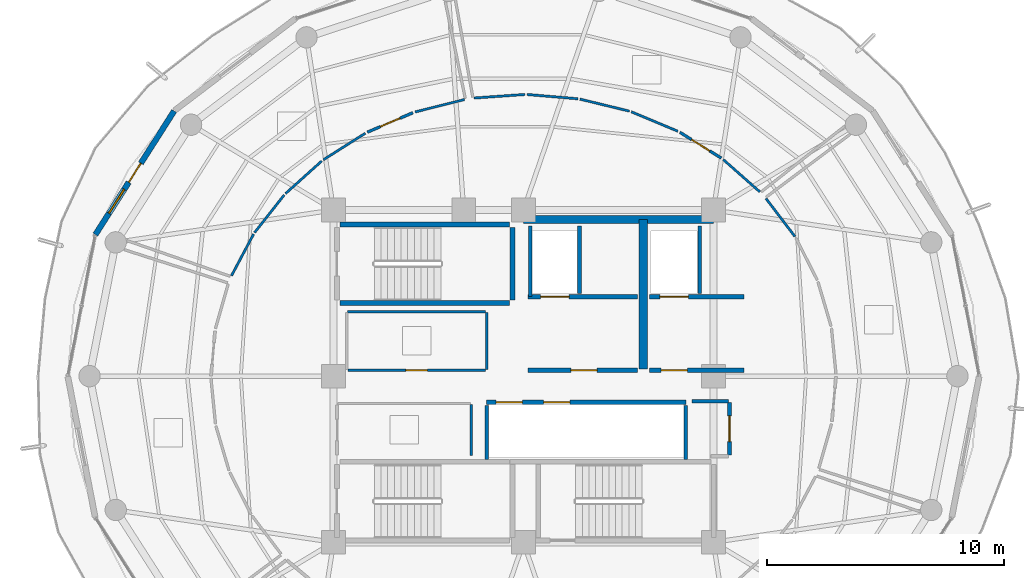
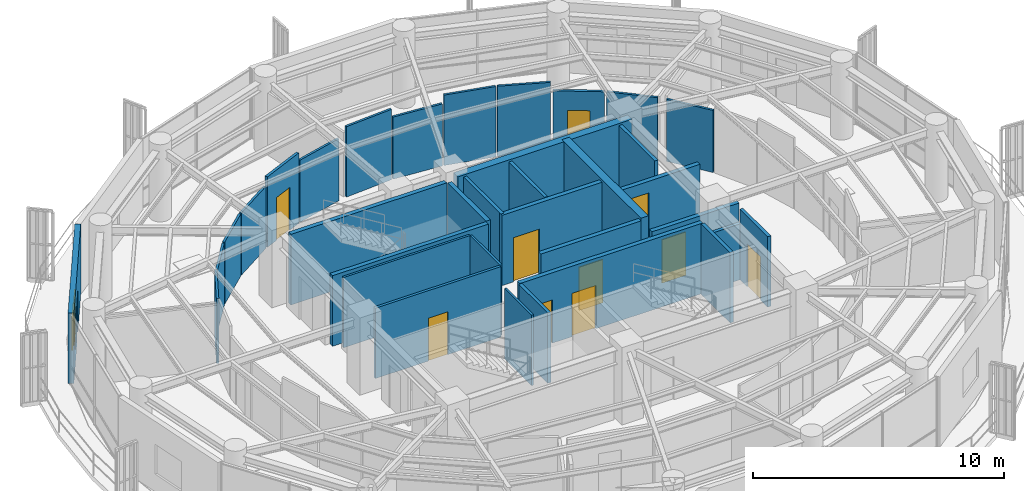
# One storey, part 17 of 23: 35 walls, 11 doors, 1 window, 12 openings.
"""IFC4 building model written with IfcOpenShell, lengths in metres."""

from ifc_helpers import new_model, si_unit, direction, frame, frame_2d, origin, place, context, subcontext, project, spatial, rectangle, extrude, material, layer, layer_set, type_object, element, fill, save


model = new_model("IFC4")

# Units and contexts
model_context = context("Model", 3, precision=1e-05, world=origin(), true_north=direction((0.0, 1.0)))
body_context = subcontext(model_context, "Body", "Model", "MODEL_VIEW")
ifc_project = project(units=[si_unit("LENGTHUNIT", "METRE"), si_unit("AREAUNIT", "SQUARE_METRE"), si_unit("VOLUMEUNIT", "CUBIC_METRE"), si_unit("PLANEANGLEUNIT", "RADIAN"), si_unit("MASSUNIT", "GRAM", prefix="KILO")], contexts=[model_context])

# Site, building, storey
site_placement = place(None, origin())
site = spatial("IfcSite", under=ifc_project, at=site_placement, CompositionType="ELEMENT")
building_placement = place(site_placement, origin())
building = spatial("IfcBuilding", under=site, at=building_placement, Name="Kelanora Arch Commons", CompositionType="ELEMENT")
storey_placement = place(building_placement, frame((0.0, 0.0, 289.949951171875)))
storey = spatial("IfcBuildingStorey", under=building, at=storey_placement, Name="L74", CompositionType="ELEMENT", Elevation=289.949951171875)

# Walls
ifc_material_1 = material(Name="Autoclaved aerated concrete blockwork with fire plaster", Category="masonry")
ifc_layer_1 = layer(ifc_material_1, 0.14990234375)
ifc_layer_set_1 = layer_set([ifc_layer_1], Name="Autoclaved aerated concrete blockwork with fire plaster")
wall_type_1 = type_object("IfcWallType", Name="W-COMP-150", PredefinedType="PARTITIONING", material=ifc_layer_set_1)
wall_1_placement = place(storey_placement, frame((74.280029296875, 61.35009765625, 0.0), z_axis=(0.0, 0.0, 1.0), x_axis=(0.0, 1.0, 0.0)))
element("IfcWall", 1, at=wall_1_placement, inside=storey, type_object=wall_type_1, Name="Firefighting Lift 1 West Shaft Wall L74", PredefinedType="PARTITIONING", context=body_context, shape_type="SweptSolid", body=[
    extrude(rectangle(XDim=2.969970703125, YDim=0.14990234375, at=frame_2d((1.48486328125, 0.0))), origin(), (0.0, 0.0, 1.0), 3.420166015625),
])
for number, where, z_axis, x_axis, name in (
    (2, (76.360107421875, 61.47998046875, 0.0), (0.0, 0.0, 1.0), (0.0, 1.0, 0.0), "Firefighting Lift 1 East Shaft Wall L74"),
    (3, (81.419921875, 61.47998046875, 0.0), (0.0, 0.0, 1.0), (0.0, 1.0, 0.0), "Firefighting Lift 2 East Shaft Wall L74"),
):
    element("IfcWall", number, at=place(storey_placement, frame(where, z_axis=z_axis, x_axis=x_axis)), inside=storey, type_object=wall_type_1, Name=name, PredefinedType="PARTITIONING", context=body_context, shape_type="SweptSolid", body=[
        extrude(rectangle(XDim=2.840087890625, YDim=0.14990234375, at=frame_2d((1.419921875, 0.0))), origin(), (0.0, 0.0, 1.0), 3.420166015625),
    ])
for number, where, z_axis, x_axis, name in (
    (4, (72.4599609375, 54.47998046875, 0.0), (0.0, 0.0, 1.0), (0.0, 1.0, 0.0), "South Lift Bank West Wall L74"),
    (5, (80.840087890625, 54.47998046875, 0.0), (0.0, 0.0, 1.0), (0.0, 1.0, 0.0), "South Lift Bank East Wall L74"),
):
    element("IfcWall", number, at=place(storey_placement, frame(where, z_axis=z_axis, x_axis=x_axis)), inside=storey, type_object=wall_type_1, Name=name, PredefinedType="PARTITIONING", context=body_context, shape_type="SweptSolid", body=[
        extrude(rectangle(XDim=2.2900390625, YDim=0.14990234375, at=frame_2d((1.14501953125, 0.0))), origin(), (0.0, 0.0, 1.0), 3.420166015625),
    ])

# Wall, opening, door
wall_2_placement = place(storey_placement, frame((82.679931640625, 54.679931640625, 0.0), z_axis=(0.0, 0.0, 1.0), x_axis=(0.0, 1.0, 0.0)))
wall_2 = element("IfcWall", 6, at=wall_2_placement, inside=storey, type_object=wall_type_1, Name="Core Housekeeping Store L74 Entry Partition", PredefinedType="PARTITIONING", context=body_context, shape_type="SweptSolid", body=[
    extrude(rectangle(XDim=2.2099609375, YDim=0.14990234375, at=frame_2d((1.10498046875, 0.0))), origin(), (0.0, 0.0, 1.0), 3.420166015625),
])
opening_1_placement = place(wall_2_placement, frame((0.56494140625, 0.0, 0.0)))
opening_1 = element("IfcOpeningElement", 7, at=opening_1_placement, cuts=wall_2, Name="Opening D-PLT1", PredefinedType="OPENING", context=body_context, shape_type="SweptSolid", body=[
    extrude(rectangle(XDim=1.080078125, YDim=2.10009765625, at=frame_2d((0.5400390625, 1.050048828125))), frame((0.0, 0.0849609375, 0.0), z_axis=(0.0, -1.0, 0.0), x_axis=(1.0, 0.0, 0.0)), (0.0, 0.0, 1.0), 0.169921875),
])
ifc_material_2 = material(Name="Galvanised steel plant and riser fire door", Category="steel")
door_type_1 = type_object("IfcDoorType", Name="D-PLT-110", OperationType="NOTDEFINED", PredefinedType="DOOR", material=ifc_material_2)
door_1_placement = place(opening_1_placement, origin())
door_1 = element("IfcDoor", 8, at=door_1_placement, inside=storey, type_object=door_type_1, Name="Core Housekeeping Store L74 Door", OperationType="SINGLE_SWING_RIGHT", OverallHeight=2.10009765625, OverallWidth=1.080078125, PredefinedType="DOOR", context=body_context, shape_type="SweptSolid", body=[
    extrude(rectangle(XDim=1.080078125, YDim=2.10009765625, at=frame_2d((0.5400390625, 1.050048828125))), frame((0.0, 0.02490234375, 0.0), z_axis=(0.0, -1.0, 0.0), x_axis=(1.0, 0.0, 0.0)), (0.0, 0.0, 1.0), 0.050048828125),
])
fill(opening_1, door_1)

# Walls
wall_3_placement = place(storey_placement, frame((82.639892578125, 56.949951171875, 0.0), z_axis=(0.0, 0.0, 1.0), x_axis=(-1.0, 0.0, 0.0)))
element("IfcWall", 9, at=wall_3_placement, inside=storey, type_object=wall_type_1, Name="Core Housekeeping Store L74 Enclosure Partition 3", PredefinedType="PARTITIONING", context=body_context, shape_type="SweptSolid", body=[
    extrude(rectangle(XDim=1.5498046875, YDim=0.14990234375, at=frame_2d((0.77490234375, 0.0))), origin(), (0.0, 0.0, 1.0), 2.715087890625),
])
ifc_material_3 = material(Name="Concrete C50/60", Category="concrete")
ifc_layer_2 = layer(ifc_material_3, 0.35009765625)
ifc_layer_set_2 = layer_set([ifc_layer_2], Name="Concrete C50/60")
wall_type_2 = type_object("IfcWallType", Name="W-CORE-350", PredefinedType="SHEAR", material=ifc_layer_set_2)
wall_4_placement = place(storey_placement, frame((74.0, 64.60009765625, 0.0), z_axis=(0.0, 0.0, 1.0), x_axis=(1.0, 0.0, 0.0)))
element("IfcWall", 10, at=wall_4_placement, inside=storey, type_object=wall_type_2, Name="Core Shear Spine L74-CN-E", PredefinedType="SHEAR", context=body_context, shape_type="SweptSolid", body=[
    extrude(rectangle(XDim=8.0, YDim=0.35009765625, at=frame_2d((4.0, 0.0))), origin(), (0.0, 0.0, 1.0), 3.429931640625),
])
wall_5_placement = place(storey_placement, frame((79.050048828125, 58.300048828125, 0.0), z_axis=(0.0, 0.0, 1.0), x_axis=(0.0, 1.0, 0.0)))
element("IfcWall", 11, at=wall_5_placement, inside=storey, type_object=wall_type_2, Name="Core Shear Spine L74-CE-N", PredefinedType="SHEAR", context=body_context, shape_type="SweptSolid", body=[
    extrude(rectangle(XDim=6.300048828125, YDim=0.35009765625, at=frame_2d((3.14990234375, 0.0))), origin(), (0.0, 0.0, 1.0), 3.429931640625),
])

# Wall, openings, door, window
ifc_material_4 = material(Name="Precast concrete C40/50 upper-zone terracotta rainscreen", Category="masonry")
ifc_layer_3 = layer(ifc_material_4, 0.239990234375)
ifc_layer_set_3 = layer_set([ifc_layer_3], Name="Precast concrete C40/50 upper-zone terracotta rainscreen")
wall_type_3 = type_object("IfcWallType", Name="W-EXT-TC2", PredefinedType="SOLIDWALL", material=ifc_layer_set_3)
wall_6_placement = place(storey_placement, frame((59.28369140625, 69.171875, 0.0), z_axis=(0.0, 0.0, 1.0), x_axis=(-0.537271968456, -0.843409053728, 0.0)))
wall_6 = element("IfcWall", 12, at=wall_6_placement, inside=storey, type_object=wall_type_3, Name="Terracotta Exterior Wall L74-B07", PredefinedType="SOLIDWALL", context=body_context, shape_type="SweptSolid", body=[
    extrude(rectangle(XDim=6.175048828125, YDim=0.239990234375, at=frame_2d((3.08740234375, 0.0))), origin(), (0.0, 0.0, 1.0), 3.4150390625),
])
opening_2_placement = place(wall_6_placement, frame((2.613037109375, 0.0, 0.0)))
opening_2 = element("IfcOpeningElement", 13, at=opening_2_placement, cuts=wall_6, Name="Opening DB-01", PredefinedType="OPENING", context=body_context, shape_type="SweptSolid", body=[
    extrude(rectangle(XDim=0.949951171875, YDim=2.10009765625, at=frame_2d((0.47509765625, 1.050048828125))), frame((0.0, 0.1298828125, 0.0), z_axis=(0.0, -1.0, 0.0), x_axis=(1.0, 0.0, 0.0)), (0.0, 0.0, 1.0), 0.260009765625),
])
opening_3_placement = place(wall_6_placement, frame((3.9130859375, 0.0, 0.85009765625)))
opening_3 = element("IfcOpeningElement", 14, at=opening_3_placement, cuts=wall_6, Name="Opening WN-02", PredefinedType="OPENING", context=body_context, shape_type="SweptSolid", body=[
    extrude(rectangle(XDim=1.199951171875, YDim=1.449951171875, at=frame_2d((0.60009765625, 0.72509765625))), frame((0.0, 0.1298828125, 0.0), z_axis=(0.0, -1.0, 0.0), x_axis=(1.0, 0.0, 0.0)), (0.0, 0.0, 1.0), 0.260009765625),
])
ifc_material_5 = material(Name="Terracotta-aluminium thermally broken glazed balcony door", Category="masonry")
door_type_2 = type_object("IfcDoorType", Name="D-BAL-10", OperationType="NOTDEFINED", PredefinedType="DOOR", material=ifc_material_5)
door_2_placement = place(opening_2_placement, frame((0.949951171875, 0.0, 0.0), z_axis=(0.0, 0.0, 1.0), x_axis=(-1.0, 0.0, 0.0)))
door_2 = element("IfcDoor", 15, at=door_2_placement, inside=storey, type_object=door_type_2, Name="Wave Balcony Door L74-B07", OperationType="SINGLE_SWING_RIGHT", OverallHeight=2.10009765625, OverallWidth=0.949951171875, PredefinedType="DOOR", context=body_context, shape_type="SweptSolid", body=[
    extrude(rectangle(XDim=0.949951171875, YDim=2.10009765625, at=frame_2d((0.47509765625, 1.050048828125))), frame((0.0, 0.02490234375, 0.0), z_axis=(0.0, -1.0, 0.0), x_axis=(1.0, 0.0, 0.0)), (0.0, 0.0, 1.0), 0.050048828125),
])
fill(opening_2, door_2)
ifc_material_6 = material(Name="Terracotta-anodised aluminium frame with operable awning sash", Category="masonry")
window_type = type_object("IfcWindowType", Name="WIN-CL-12", PartitioningType="SINGLE_PANEL", PredefinedType="WINDOW", material=ifc_material_6)
window_placement = place(opening_3_placement, origin())
window = element("IfcWindow", 16, at=window_placement, inside=storey, type_object=window_type, Name="Co-Living Operable Window L74-B07", OverallHeight=1.449951171875, OverallWidth=1.199951171875, PartitioningType="SINGLE_PANEL", PredefinedType="WINDOW", context=body_context, shape_type="SweptSolid", body=[
    extrude(rectangle(XDim=1.199951171875, YDim=1.449951171875, at=frame_2d((0.60009765625, 0.72509765625))), frame((0.0, 0.030029296875, 0.0), z_axis=(0.0, -1.0, 0.0), x_axis=(1.0, 0.0, 0.0)), (0.0, 0.0, 1.0), 0.06005859375),
])
fill(opening_3, window)

# Wall, opening, door
ifc_material_7 = material(Name="Concrete C40/50", Category="concrete")
ifc_layer_4 = layer(ifc_material_7, 0.199951171875)
ifc_layer_set_4 = layer_set([ifc_layer_4], Name="Concrete C40/50")
wall_type_4 = type_object("IfcWallType", Name="W-FFL-200", PredefinedType="SOLIDWALL", material=ifc_layer_set_4)
wall_7_placement = place(storey_placement, frame((74.199951171875, 61.35009765625, 0.0), z_axis=(0.0, 0.0, 1.0), x_axis=(1.0, 0.0, 0.0)))
wall_7 = element("IfcWall", 17, at=wall_7_placement, inside=storey, type_object=wall_type_4, Name="Firefighting Lift 1 Shaft Front L74", PredefinedType="SOLIDWALL", context=body_context, shape_type="SweptSolid", body=[
    extrude(rectangle(XDim=4.60009765625, YDim=0.199951171875, at=frame_2d((2.300048828125, 0.0))), origin(), (0.0, 0.0, 1.0), 3.420166015625),
])
opening_4_placement = place(wall_7_placement, frame((0.52001953125, 0.0, 0.0)))
opening_4 = element("IfcOpeningElement", 18, at=opening_4_placement, cuts=wall_7, Name="Opening LD-FF", PredefinedType="OPENING", context=body_context, shape_type="SweptSolid", body=[
    extrude(rectangle(XDim=1.199951171875, YDim=2.14990234375, at=frame_2d((0.60009765625, 1.074951171875))), frame((0.0, 0.10986328125, 0.0), z_axis=(0.0, -1.0, 0.0), x_axis=(1.0, 0.0, 0.0)), (0.0, 0.0, 1.0), 0.219970703125),
])
ifc_material_8 = material(Name="Fire-rated firefighters lift sliding landing door")
door_type_3 = type_object("IfcDoorType", Name="D-LIFT-FF", OperationType="NOTDEFINED", PredefinedType="DOOR", material=ifc_material_8)
door_3_placement = place(opening_4_placement, origin())
door_3 = element("IfcDoor", 19, at=door_3_placement, inside=storey, type_object=door_type_3, Name="Firefighting Lift LF-FF1 Landing Door L74", OperationType="DOUBLE_DOOR_SLIDING", OverallHeight=2.14990234375, OverallWidth=1.199951171875, PredefinedType="DOOR", context=body_context, shape_type="SweptSolid", body=[
    extrude(rectangle(XDim=1.199951171875, YDim=2.14990234375, at=frame_2d((0.60009765625, 1.074951171875))), frame((0.0, 0.02490234375, 0.0), z_axis=(0.0, -1.0, 0.0), x_axis=(1.0, 0.0, 0.0)), (0.0, 0.0, 1.0), 0.050048828125),
])
fill(opening_4, door_3)

wall_8_placement = place(storey_placement, frame((79.300048828125, 61.35009765625, 0.0), z_axis=(0.0, 0.0, 1.0), x_axis=(1.0, 0.0, 0.0)))
wall_8 = element("IfcWall", 20, at=wall_8_placement, inside=storey, type_object=wall_type_4, Name="Firefighting Lift 2 Shaft Front L74", PredefinedType="SOLIDWALL", context=body_context, shape_type="SweptSolid", body=[
    extrude(rectangle(XDim=4.0, YDim=0.199951171875, at=frame_2d((2.0, 0.0))), origin(), (0.0, 0.0, 1.0), 2.715087890625),
])
opening_5_placement = place(wall_8_placement, frame((0.449951171875, 0.0, 0.0)))
opening_5 = element("IfcOpeningElement", 21, at=opening_5_placement, cuts=wall_8, Name="Opening LD-FF", PredefinedType="OPENING", context=body_context, shape_type="SweptSolid", body=[
    extrude(rectangle(XDim=1.199951171875, YDim=2.14990234375, at=frame_2d((0.60009765625, 1.074951171875))), frame((0.0, 0.10986328125, 0.0), z_axis=(0.0, -1.0, 0.0), x_axis=(1.0, 0.0, 0.0)), (0.0, 0.0, 1.0), 0.219970703125),
])
door_4_placement = place(opening_5_placement, origin())
door_4 = element("IfcDoor", 22, at=door_4_placement, inside=storey, type_object=door_type_3, Name="Firefighting Lift LF-FF2 Landing Door L74", OperationType="DOUBLE_DOOR_SLIDING", OverallHeight=2.14990234375, OverallWidth=1.199951171875, PredefinedType="DOOR", context=body_context, shape_type="SweptSolid", body=[
    extrude(rectangle(XDim=1.199951171875, YDim=2.14990234375, at=frame_2d((0.60009765625, 1.074951171875))), frame((0.0, 0.02490234375, 0.0), z_axis=(0.0, -1.0, 0.0), x_axis=(1.0, 0.0, 0.0)), (0.0, 0.0, 1.0), 0.050048828125),
])
fill(opening_5, door_4)

wall_9_placement = place(storey_placement, frame((74.199951171875, 58.25, 0.0), z_axis=(0.0, 0.0, 1.0), x_axis=(1.0, 0.0, 0.0)))
wall_9 = element("IfcWall", 23, at=wall_9_placement, inside=storey, type_object=wall_type_4, Name="Firefighting Lobby 1 Enclosure Wall L74", PredefinedType="SOLIDWALL", context=body_context, shape_type="SweptSolid", body=[
    extrude(rectangle(XDim=4.60009765625, YDim=0.199951171875, at=frame_2d((2.300048828125, 0.0))), origin(), (0.0, 0.0, 1.0), 3.420166015625),
])
opening_6_placement = place(wall_9_placement, frame((1.800048828125, 0.0, 0.0)))
opening_6 = element("IfcOpeningElement", 24, at=opening_6_placement, cuts=wall_9, Name="Opening D-FFL1", PredefinedType="OPENING", context=body_context, shape_type="SweptSolid", body=[
    extrude(rectangle(XDim=1.10009765625, YDim=2.10009765625, at=frame_2d((0.550048828125, 1.050048828125))), frame((0.0, 0.10986328125, 0.0), z_axis=(0.0, -1.0, 0.0), x_axis=(1.0, 0.0, 0.0)), (0.0, 0.0, 1.0), 0.219970703125),
])
ifc_material_9 = material(Name="Smoke-sealed firefighting lobby fire door")
door_type_4 = type_object("IfcDoorType", Name="D-FFL-110", OperationType="NOTDEFINED", PredefinedType="DOOR", material=ifc_material_9)
door_5_placement = place(opening_6_placement, frame((1.10009765625, 0.0, 0.0), z_axis=(0.0, 0.0, 1.0), x_axis=(-1.0, 0.0, 0.0)))
door_5 = element("IfcDoor", 25, at=door_5_placement, inside=storey, type_object=door_type_4, Name="Firefighting Lobby 1 Door L74", OperationType="SINGLE_SWING_LEFT", OverallHeight=2.10009765625, OverallWidth=1.10009765625, PredefinedType="DOOR", context=body_context, shape_type="SweptSolid", body=[
    extrude(rectangle(XDim=1.10009765625, YDim=2.10009765625, at=frame_2d((0.550048828125, 1.050048828125))), frame((0.0, 0.02490234375, 0.0), z_axis=(0.0, -1.0, 0.0), x_axis=(1.0, 0.0, 0.0)), (0.0, 0.0, 1.0), 0.050048828125),
])
fill(opening_6, door_5)

wall_10_placement = place(storey_placement, frame((79.300048828125, 58.25, 0.0), z_axis=(0.0, 0.0, 1.0), x_axis=(1.0, 0.0, 0.0)))
wall_10 = element("IfcWall", 26, at=wall_10_placement, inside=storey, type_object=wall_type_4, Name="Firefighting Lobby 2 Enclosure Wall L74", PredefinedType="SOLIDWALL", context=body_context, shape_type="SweptSolid", body=[
    extrude(rectangle(XDim=4.0, YDim=0.199951171875, at=frame_2d((2.0, 0.0))), origin(), (0.0, 0.0, 1.0), 2.715087890625),
])
opening_7_placement = place(wall_10_placement, frame((0.5, 0.0, 0.0)))
opening_7 = element("IfcOpeningElement", 27, at=opening_7_placement, cuts=wall_10, Name="Opening D-FFL1", PredefinedType="OPENING", context=body_context, shape_type="SweptSolid", body=[
    extrude(rectangle(XDim=1.10009765625, YDim=2.10009765625, at=frame_2d((0.550048828125, 1.050048828125))), frame((0.0, 0.10986328125, 0.0), z_axis=(0.0, -1.0, 0.0), x_axis=(1.0, 0.0, 0.0)), (0.0, 0.0, 1.0), 0.219970703125),
])
door_6_placement = place(opening_7_placement, frame((1.10009765625, 0.0, 0.0), z_axis=(0.0, 0.0, 1.0), x_axis=(-1.0, 0.0, 0.0)))
door_6 = element("IfcDoor", 28, at=door_6_placement, inside=storey, type_object=door_type_4, Name="Firefighting Lobby 2 Door L74", OperationType="SINGLE_SWING_RIGHT", OverallHeight=2.10009765625, OverallWidth=1.10009765625, PredefinedType="DOOR", context=body_context, shape_type="SweptSolid", body=[
    extrude(rectangle(XDim=1.10009765625, YDim=2.10009765625, at=frame_2d((0.550048828125, 1.050048828125))), frame((0.0, 0.02490234375, 0.0), z_axis=(0.0, -1.0, 0.0), x_axis=(1.0, 0.0, 0.0)), (0.0, 0.0, 1.0), 0.050048828125),
])
fill(opening_7, door_6)

# Wall, openings, doors
wall_11_placement = place(storey_placement, frame((72.449951171875, 56.89990234375, 0.0), z_axis=(0.0, 0.0, 1.0), x_axis=(1.0, 0.0, 0.0)))
wall_11 = element("IfcWall", 29, at=wall_11_placement, inside=storey, type_object=wall_type_4, Name="Mid/High/Express Lift Shaft Front L74", PredefinedType="SOLIDWALL", context=body_context, shape_type="SweptSolid", body=[
    extrude(rectangle(XDim=8.400146484375, YDim=0.199951171875, at=frame_2d((4.2001953125, 0.0))), origin(), (0.0, 0.0, 1.0), 3.420166015625),
])
opening_8_placement = place(wall_11_placement, frame((0.39990234375, 0.0, 0.0)))
opening_8 = element("IfcOpeningElement", 30, at=opening_8_placement, cuts=wall_11, Name="Opening LD-01", PredefinedType="OPENING", context=body_context, shape_type="SweptSolid", body=[
    extrude(rectangle(XDim=1.10009765625, YDim=2.10009765625, at=frame_2d((0.550048828125, 1.050048828125))), frame((0.0, 0.10986328125, 0.0), z_axis=(0.0, -1.0, 0.0), x_axis=(1.0, 0.0, 0.0)), (0.0, 0.0, 1.0), 0.219970703125),
])
opening_9_placement = place(wall_11_placement, frame((2.39990234375, 0.0, 0.0)))
opening_9 = element("IfcOpeningElement", 31, at=opening_9_placement, cuts=wall_11, Name="Opening LD-01", PredefinedType="OPENING", context=body_context, shape_type="SweptSolid", body=[
    extrude(rectangle(XDim=1.10009765625, YDim=2.10009765625, at=frame_2d((0.550048828125, 1.050048828125))), frame((0.0, 0.10986328125, 0.0), z_axis=(0.0, -1.0, 0.0), x_axis=(1.0, 0.0, 0.0)), (0.0, 0.0, 1.0), 0.219970703125),
])
ifc_material_10 = material(Name="Stainless steel passenger lift sliding landing door", Category="steel")
door_type_5 = type_object("IfcDoorType", Name="D-LIFT-110", OperationType="NOTDEFINED", PredefinedType="DOOR", material=ifc_material_10)
door_7_placement = place(opening_8_placement, origin())
door_7 = element("IfcDoor", 32, at=door_7_placement, inside=storey, type_object=door_type_5, Name="Passenger Lift LF-P7 Landing Door L74", OperationType="DOUBLE_DOOR_SLIDING", OverallHeight=2.10009765625, OverallWidth=1.10009765625, PredefinedType="DOOR", context=body_context, shape_type="SweptSolid", body=[
    extrude(rectangle(XDim=1.10009765625, YDim=2.10009765625, at=frame_2d((0.550048828125, 1.050048828125))), frame((0.0, 0.02490234375, 0.0), z_axis=(0.0, -1.0, 0.0), x_axis=(1.0, 0.0, 0.0)), (0.0, 0.0, 1.0), 0.050048828125),
])
fill(opening_8, door_7)
door_8_placement = place(opening_9_placement, origin())
door_8 = element("IfcDoor", 33, at=door_8_placement, inside=storey, type_object=door_type_5, Name="Passenger Lift LF-P8 Landing Door L74", OperationType="DOUBLE_DOOR_SLIDING", OverallHeight=2.10009765625, OverallWidth=1.10009765625, PredefinedType="DOOR", context=body_context, shape_type="SweptSolid", body=[
    extrude(rectangle(XDim=1.10009765625, YDim=2.10009765625, at=frame_2d((0.550048828125, 1.050048828125))), frame((0.0, 0.02490234375, 0.0), z_axis=(0.0, -1.0, 0.0), x_axis=(1.0, 0.0, 0.0)), (0.0, 0.0, 1.0), 0.050048828125),
])
fill(opening_9, door_8)

# Walls
ifc_material_11 = material(Name="Lightweight fire-rated acoustic stud partition")
ifc_layer_5 = layer(ifc_material_11, 0.10009765625)
ifc_layer_set_5 = layer_set([ifc_layer_5], Name="Lightweight fire-rated acoustic stud partition")
wall_type_5 = type_object("IfcWallType", Name="W-PART-100", PredefinedType="PARTITIONING", material=ifc_layer_set_5)
wall_12_placement = place(storey_placement, frame((72.449951171875, 58.2900390625, 0.0), z_axis=(0.0, 0.0, 1.0), x_axis=(0.0, 1.0, 0.0)))
element("IfcWall", 34, at=wall_12_placement, inside=storey, type_object=wall_type_5, Name="Reclaimed Core Study Pod Lounge L74 Enclosure Partition 2", PredefinedType="PARTITIONING", context=body_context, shape_type="SweptSolid", body=[
    extrude(rectangle(XDim=2.389892578125, YDim=0.10009765625, at=frame_2d((1.19482421875, 0.0))), origin(), (0.0, 0.0, 1.0), 3.420166015625),
])
wall_13_placement = place(storey_placement, frame((72.409912109375, 60.719970703125, 0.0), z_axis=(0.0, 0.0, 1.0), x_axis=(-1.0, 0.0, 0.0)))
element("IfcWall", 35, at=wall_13_placement, inside=storey, type_object=wall_type_5, Name="Reclaimed Core Study Pod Lounge L74 Enclosure Partition 3", PredefinedType="PARTITIONING", context=body_context, shape_type="SweptSolid", body=[
    extrude(rectangle(XDim=5.81982421875, YDim=0.10009765625, at=frame_2d((2.909912109375, 0.0))), origin(), (0.0, 0.0, 1.0), 3.420166015625),
])
wall_14_placement = place(storey_placement, frame((71.800048828125, 54.659912109375, 0.0), z_axis=(0.0, 0.0, 1.0), x_axis=(0.0, 1.0, 0.0)))
element("IfcWall", 36, at=wall_14_placement, inside=storey, type_object=wall_type_5, Name="Reclaimed Core High-Zone Pantry and Copy Room L74 Enclosure Partition 2", PredefinedType="PARTITIONING", context=body_context, shape_type="SweptSolid", body=[
    extrude(rectangle(XDim=2.150146484375, YDim=0.10009765625, at=frame_2d((1.0751953125, 0.0))), origin(), (0.0, 0.0, 1.0), 3.420166015625),
])
wall_15_placement = place(storey_placement, frame((71.51611328125, 69.654296875, 0.0), z_axis=(0.0, 0.0, 1.0), x_axis=(-0.969827312174, -0.243792913272, 0.0)))
element("IfcWall", 37, at=wall_15_placement, inside=storey, type_object=wall_type_5, Name="Communal Dining and Social Hall L74-01 Enclosure Partition 1", PredefinedType="PARTITIONING", context=body_context, shape_type="SweptSolid", body=[
    extrude(rectangle(XDim=2.14697265625, YDim=0.10009765625, at=frame_2d((1.073486328125, 0.0))), origin(), (0.0, 0.0, 1.0), 3.01513671875),
])
wall_16_placement = place(storey_placement, frame((67.335205078125, 68.233642578125, 0.0), z_axis=(0.0, 0.0, 1.0), x_axis=(-0.844856002064, -0.534993771717, 0.0)))
element("IfcWall", 38, at=wall_16_placement, inside=storey, type_object=wall_type_5, Name="Communal Dining and Social Hall L74-01 Enclosure Partition 3", PredefinedType="PARTITIONING", context=body_context, shape_type="SweptSolid", body=[
    extrude(rectangle(XDim=2.091796875, YDim=0.10009765625, at=frame_2d((1.0458984375, 0.0))), origin(), (0.0, 0.0, 1.0), 3.01513671875),
])
wall_17_placement = place(storey_placement, frame((65.504150390625, 67.06640625, 0.0), z_axis=(0.0, 0.0, 1.0), x_axis=(-0.743943808924, -0.668242178527, 0.0)))
element("IfcWall", 39, at=wall_17_placement, inside=storey, type_object=wall_type_5, Name="Communal Dining and Social Hall L74-01 Enclosure Partition 4", PredefinedType="PARTITIONING", context=body_context, shape_type="SweptSolid", body=[
    extrude(rectangle(XDim=2.054443359375, YDim=0.10009765625, at=frame_2d((1.02734375, 0.0))), origin(), (0.0, 0.0, 1.0), 3.01513671875),
])
wall_18_placement = place(storey_placement, frame((63.92138671875, 65.635498046875, 0.0), z_axis=(0.0, 0.0, 1.0), x_axis=(-0.618820199788, -0.785532660259, 0.0)))
element("IfcWall", 40, at=wall_18_placement, inside=storey, type_object=wall_type_5, Name="Communal Dining and Social Hall L74-01 Enclosure Partition 5", PredefinedType="PARTITIONING", context=body_context, shape_type="SweptSolid", body=[
    extrude(rectangle(XDim=2.01806640625, YDim=0.10009765625, at=frame_2d((1.009033203125, 0.0))), origin(), (0.0, 0.0, 1.0), 3.01513671875),
])
wall_19_placement = place(storey_placement, frame((62.629150390625, 63.983642578125, 0.0), z_axis=(0.0, 0.0, 1.0), x_axis=(-0.468933294906, -0.883233584579, 0.0)))
element("IfcWall", 41, at=wall_19_placement, inside=storey, type_object=wall_type_5, Name="Communal Dining and Social Hall L74-01 Enclosure Partition 6", PredefinedType="PARTITIONING", context=body_context, shape_type="SweptSolid", body=[
    extrude(rectangle(XDim=1.984130859375, YDim=0.10009765625, at=frame_2d((0.9921875, 0.0))), origin(), (0.0, 0.0, 1.0), 3.175048828125),
])
wall_20_placement = place(storey_placement, frame((85.434814453125, 63.8828125, 0.0), z_axis=(0.0, 0.0, 1.0), x_axis=(-0.605473441765, 0.795865510823, 0.0)))
element("IfcWall", 42, at=wall_20_placement, inside=storey, type_object=wall_type_5, Name="Communal Dining and Social Hall L74-05 Enclosure Partition 6", PredefinedType="PARTITIONING", context=body_context, shape_type="SweptSolid", body=[
    extrude(rectangle(XDim=2.014404296875, YDim=0.10009765625, at=frame_2d((1.00732421875, 0.0))), origin(), (0.0, 0.0, 1.0), 3.01513671875),
])
wall_21_placement = place(storey_placement, frame((83.955078125, 65.7666015625, 0.0), z_axis=(0.0, 0.0, 1.0), x_axis=(-0.749539941976, 0.661959119117, 0.0)))
element("IfcWall", 43, at=wall_21_placement, inside=storey, type_object=wall_type_5, Name="Social Sky Lounge L74-06 Enclosure Partition 1", PredefinedType="PARTITIONING", context=body_context, shape_type="SweptSolid", body=[
    extrude(rectangle(XDim=2.057373046875, YDim=0.10009765625, at=frame_2d((1.02880859375, 0.0))), origin(), (0.0, 0.0, 1.0), 3.01513671875),
])
wall_22_placement = place(storey_placement, frame((80.501220703125, 68.3193359375, 0.0), z_axis=(0.0, 0.0, 1.0), x_axis=(-0.922644563927, 0.385651408213, 0.0)))
element("IfcWall", 44, at=wall_22_placement, inside=storey, type_object=wall_type_5, Name="Social Sky Lounge L74-06 Enclosure Partition 3", PredefinedType="PARTITIONING", context=body_context, shape_type="SweptSolid", body=[
    extrude(rectangle(XDim=2.12451171875, YDim=0.10009765625, at=frame_2d((1.062255859375, 0.0))), origin(), (0.0, 0.0, 1.0), 3.420166015625),
])
wall_23_placement = place(storey_placement, frame((78.465087890625, 69.16357421875, 0.0), z_axis=(0.0, 0.0, 1.0), x_axis=(-0.971628772742, 0.236511158257, 0.0)))
element("IfcWall", 45, at=wall_23_placement, inside=storey, type_object=wall_type_5, Name="Social Sky Lounge L74-06 Enclosure Partition 4", PredefinedType="PARTITIONING", context=body_context, shape_type="SweptSolid", body=[
    extrude(rectangle(XDim=2.147216796875, YDim=0.10009765625, at=frame_2d((1.07373046875, 0.0))), origin(), (0.0, 0.0, 1.0), 3.420166015625),
])
wall_24_placement = place(storey_placement, frame((76.300048828125, 69.684326171875, 0.0), z_axis=(0.0, 0.0, 1.0), x_axis=(-0.99643184896, 0.084401246306, 0.0)))
element("IfcWall", 46, at=wall_24_placement, inside=storey, type_object=wall_type_5, Name="Social Sky Lounge L74-06 Enclosure Partition 5", PredefinedType="PARTITIONING", context=body_context, shape_type="SweptSolid", body=[
    extrude(rectangle(XDim=2.160888671875, YDim=0.10009765625, at=frame_2d((1.08056640625, 0.0))), origin(), (0.0, 0.0, 1.0), 3.01513671875),
])
wall_25_placement = place(storey_placement, frame((74.067138671875, 69.8671875, 0.0), z_axis=(0.0, 0.0, 1.0), x_axis=(-0.997574370957, -0.069608723664, 0.0)))
element("IfcWall", 47, at=wall_25_placement, inside=storey, type_object=wall_type_5, Name="Social Sky Lounge L74-06 Enclosure Partition 6", PredefinedType="PARTITIONING", context=body_context, shape_type="SweptSolid", body=[
    extrude(rectangle(XDim=2.160400390625, YDim=0.10009765625, at=frame_2d((1.080078125, 0.0))), origin(), (0.0, 0.0, 1.0), 3.420166015625),
])

# Wall, opening, door
ifc_material_12 = material(Name="Acoustic twin-stud fire-rated gypsum partition")
ifc_layer_6 = layer(ifc_material_12, 0.1201171875)
ifc_layer_set_6 = layer_set([ifc_layer_6], Name="Acoustic twin-stud fire-rated gypsum partition")
wall_type_6 = type_object("IfcWallType", Name="W-PART-120", PredefinedType="PARTITIONING", material=ifc_layer_set_6)
wall_26_placement = place(storey_placement, frame((66.610107421875, 58.25, 0.0), z_axis=(0.0, 0.0, 1.0), x_axis=(1.0, 0.0, 0.0)))
wall_26 = element("IfcWall", 48, at=wall_26_placement, inside=storey, type_object=wall_type_6, Name="Reclaimed Core Study Pod Lounge L74 Entry Partition", PredefinedType="PARTITIONING", context=body_context, shape_type="SweptSolid", body=[
    extrude(rectangle(XDim=5.77978515625, YDim=0.1201171875, at=frame_2d((2.889892578125, 0.0))), origin(), (0.0, 0.0, 1.0), 3.420166015625),
])
opening_10_placement = place(wall_26_placement, frame((2.43994140625, 0.0, 0.0)))
opening_10 = element("IfcOpeningElement", 49, at=opening_10_placement, cuts=wall_26, Name="Opening D-RM1", PredefinedType="OPENING", context=body_context, shape_type="SweptSolid", body=[
    extrude(rectangle(XDim=0.89990234375, YDim=2.080078125, at=frame_2d((0.449951171875, 1.0400390625))), frame((0.0, 0.070068359375, 0.0), z_axis=(0.0, -1.0, 0.0), x_axis=(1.0, 0.0, 0.0)), (0.0, 0.0, 1.0), 0.14013671875),
])
ifc_material_13 = material(Name="Acoustic fire-rated timber study and lounge door", Category="wood")
door_type_6 = type_object("IfcDoorType", Name="D-ROOM-90", OperationType="NOTDEFINED", PredefinedType="DOOR", material=ifc_material_13)
door_9_placement = place(opening_10_placement, origin())
door_9 = element("IfcDoor", 50, at=door_9_placement, inside=storey, type_object=door_type_6, Name="Reclaimed Core Study Pod Lounge L74 Door", OperationType="SINGLE_SWING_LEFT", OverallHeight=2.080078125, OverallWidth=0.89990234375, PredefinedType="DOOR", context=body_context, shape_type="SweptSolid", body=[
    extrude(rectangle(XDim=0.89990234375, YDim=2.080078125, at=frame_2d((0.449951171875, 1.0400390625))), frame((0.0, 0.02490234375, 0.0), z_axis=(0.0, -1.0, 0.0), x_axis=(1.0, 0.0, 0.0)), (0.0, 0.0, 1.0), 0.050048828125),
])
fill(opening_10, door_9)

wall_27_placement = place(storey_placement, frame((69.33984375, 69.097412109375, 0.0), z_axis=(0.0, 0.0, 1.0), x_axis=(-0.919508345424, -0.39307048057, 0.0)))
wall_27 = element("IfcWall", 51, at=wall_27_placement, inside=storey, type_object=wall_type_6, Name="Communal Dining and Social Hall L74-01 Entry Partition", PredefinedType="PARTITIONING", context=body_context, shape_type="SweptSolid", body=[
    extrude(rectangle(XDim=2.083251953125, YDim=0.1201171875, at=frame_2d((1.04150390625, 0.0))), origin(), (0.0, 0.0, 1.0), 3.420166015625),
])
opening_11_placement = place(wall_27_placement, frame((0.592041015625, 0.0, 0.0)))
opening_11 = element("IfcOpeningElement", 52, at=opening_11_placement, cuts=wall_27, Name="Opening D-RM1", PredefinedType="OPENING", context=body_context, shape_type="SweptSolid", body=[
    extrude(rectangle(XDim=0.89990234375, YDim=2.080078125, at=frame_2d((0.449951171875, 1.0400390625))), frame((0.0, 0.070068359375, 0.0), z_axis=(0.0, -1.0, 0.0), x_axis=(1.0, 0.0, 0.0)), (0.0, 0.0, 1.0), 0.14013671875),
])
door_10_placement = place(opening_11_placement, origin())
door_10 = element("IfcDoor", 53, at=door_10_placement, inside=storey, type_object=door_type_6, Name="Communal Dining and Social Hall L74-01 Door", OperationType="SINGLE_SWING_LEFT", OverallHeight=2.080078125, OverallWidth=0.89990234375, PredefinedType="DOOR", context=body_context, shape_type="SweptSolid", body=[
    extrude(rectangle(XDim=0.89990234375, YDim=2.080078125, at=frame_2d((0.449951171875, 1.0400390625))), frame((0.0, 0.02490234375, 0.0), z_axis=(0.0, -1.0, 0.0), x_axis=(1.0, 0.0, 0.0)), (0.0, 0.0, 1.0), 0.050048828125),
])
fill(opening_11, door_10)

wall_28_placement = place(storey_placement, frame((82.33203125, 67.186767578125, 0.0), z_axis=(0.0, 0.0, 1.0), x_axis=(-0.848878791214, 0.528587549823, 0.0)))
wall_28 = element("IfcWall", 54, at=wall_28_placement, inside=storey, type_object=wall_type_6, Name="Social Sky Lounge L74-06 Entry Partition", PredefinedType="PARTITIONING", context=body_context, shape_type="SweptSolid", body=[
    extrude(rectangle(XDim=2.053466796875, YDim=0.1201171875, at=frame_2d((1.02685546875, 0.0))), origin(), (0.0, 0.0, 1.0), 3.01513671875),
])
opening_12_placement = place(wall_28_placement, frame((0.576904296875, 0.0, 0.0)))
opening_12 = element("IfcOpeningElement", 55, at=opening_12_placement, cuts=wall_28, Name="Opening D-RM1", PredefinedType="OPENING", context=body_context, shape_type="SweptSolid", body=[
    extrude(rectangle(XDim=0.89990234375, YDim=2.080078125, at=frame_2d((0.449951171875, 1.0400390625))), frame((0.0, 0.070068359375, 0.0), z_axis=(0.0, -1.0, 0.0), x_axis=(1.0, 0.0, 0.0)), (0.0, 0.0, 1.0), 0.14013671875),
])
door_11_placement = place(opening_12_placement, origin())
door_11 = element("IfcDoor", 56, at=door_11_placement, inside=storey, type_object=door_type_6, Name="Social Sky Lounge L74-06 Door", OperationType="SINGLE_SWING_LEFT", OverallHeight=2.080078125, OverallWidth=0.89990234375, PredefinedType="DOOR", context=body_context, shape_type="SweptSolid", body=[
    extrude(rectangle(XDim=0.89990234375, YDim=2.080078125, at=frame_2d((0.449951171875, 1.0400390625))), frame((0.0, 0.02490234375, 0.0), z_axis=(0.0, -1.0, 0.0), x_axis=(1.0, 0.0, 0.0)), (0.0, 0.0, 1.0), 0.050048828125),
])
fill(opening_12, door_11)

# Walls
ifc_layer_7 = layer(ifc_material_7, 0.199951171875)
ifc_layer_set_7 = layer_set([ifc_layer_7], Name="Concrete C40/50")
wall_type_7 = type_object("IfcWallType", Name="W-STAIR-200", PredefinedType="SHEAR", material=ifc_layer_set_7)
wall_29_placement = place(storey_placement, frame((66.260009765625, 61.080078125, 0.0), z_axis=(0.0, 0.0, 1.0), x_axis=(1.0, 0.0, 0.0)))
element("IfcWall", 57, at=wall_29_placement, inside=storey, type_object=wall_type_7, Name="Stair ST-T1 Shaft Wall S L74", PredefinedType="SHEAR", context=body_context, shape_type="SweptSolid", body=[
    extrude(rectangle(XDim=7.159912109375, YDim=0.199951171875, at=frame_2d((3.580078125, 0.0))), origin(), (0.0, 0.0, 1.0), 3.429931640625),
])
wall_30_placement = place(storey_placement, frame((73.5400390625, 61.199951171875, 0.0), z_axis=(0.0, 0.0, 1.0), x_axis=(0.0, 1.0, 0.0)))
element("IfcWall", 58, at=wall_30_placement, inside=storey, type_object=wall_type_7, Name="Stair ST-T1 Shaft Wall E L74", PredefinedType="SHEAR", context=body_context, shape_type="SweptSolid", body=[
    extrude(rectangle(XDim=3.070068359375, YDim=0.199951171875, at=frame_2d((1.53515625, 0.0))), origin(), (0.0, 0.0, 1.0), 3.429931640625),
])
wall_31_placement = place(storey_placement, frame((73.419921875, 64.389892578125, 0.0), z_axis=(0.0, 0.0, 1.0), x_axis=(-1.0, 0.0, 0.0)))
element("IfcWall", 59, at=wall_31_placement, inside=storey, type_object=wall_type_7, Name="Stair ST-T1 Shaft Wall N L74", PredefinedType="SHEAR", context=body_context, shape_type="SweptSolid", body=[
    extrude(rectangle(XDim=7.159912109375, YDim=0.199951171875, at=frame_2d((3.580078125, 0.0))), origin(), (0.0, 0.0, 1.0), 3.429931640625),
])

save(model, "model.ifc")
